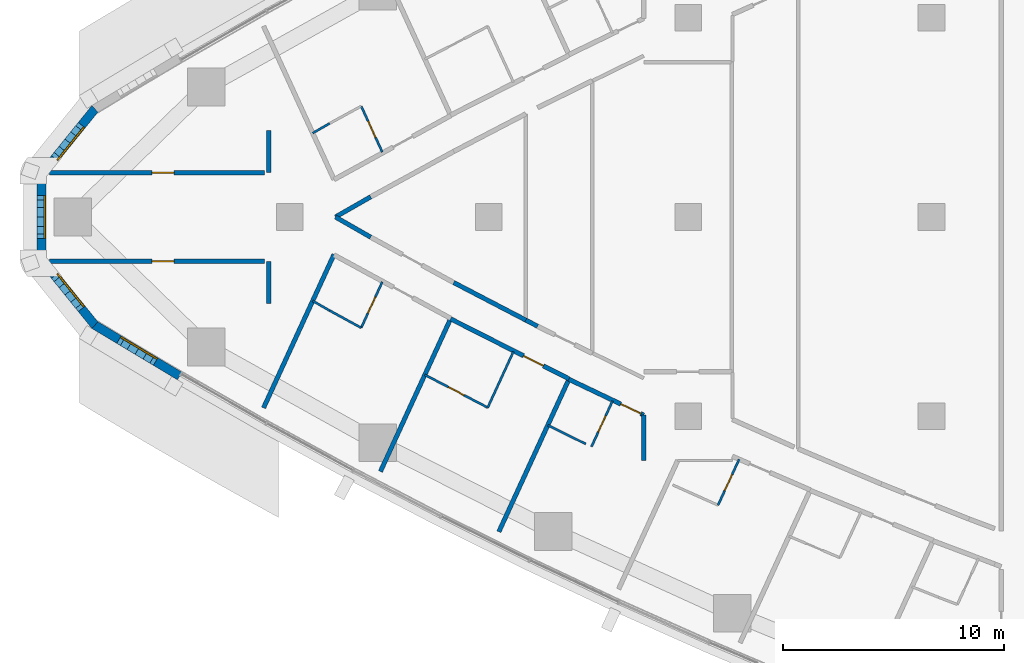
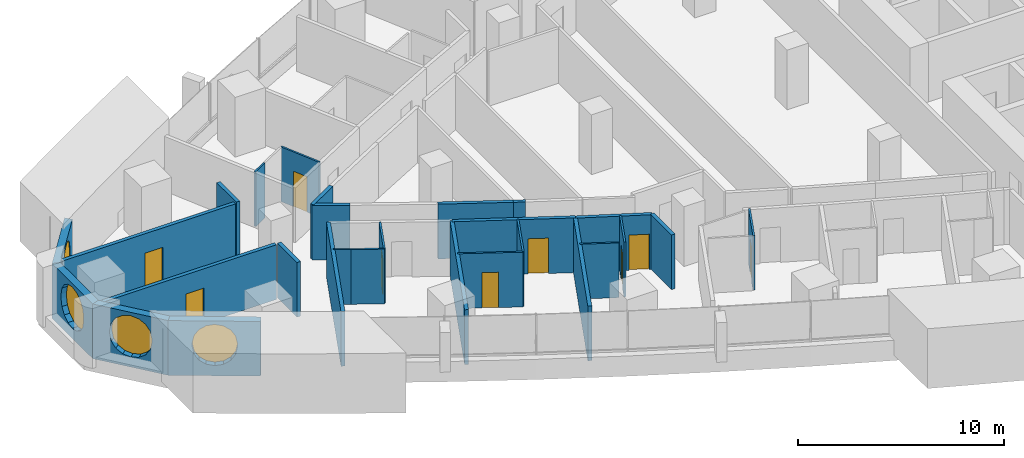
# One storey, part 8 of 17: 28 walls, 9 doors, 4 windows, 13 openings.
"""IFC4 building model written with IfcOpenShell, lengths in metres."""

from ifc_helpers import new_model, si_unit, direction, frame, frame_2d, origin, place, context, subcontext, project, spatial, polyline, rectangle, outline, extrude, material, layer, layer_set, type_object, element, fill, save


model = new_model("IFC4")

# Units and contexts
model_context = context("Model", 3, precision=1e-05, world=origin(), true_north=direction((0.0, 1.0)))
body_context = subcontext(model_context, "Body", "Model", "MODEL_VIEW")
ifc_project = project(units=[si_unit("LENGTHUNIT", "METRE"), si_unit("AREAUNIT", "SQUARE_METRE"), si_unit("VOLUMEUNIT", "CUBIC_METRE"), si_unit("PLANEANGLEUNIT", "RADIAN"), si_unit("MASSUNIT", "GRAM", prefix="KILO")], contexts=[model_context])

# Site, building, storey
site_placement = place(None, origin())
site = spatial("IfcSite", under=ifc_project, at=site_placement, CompositionType="ELEMENT")
building_placement = place(site_placement, origin())
building = spatial("IfcBuilding", under=site, at=building_placement, Name="Ostrand Prow Hotel Tower", CompositionType="ELEMENT")
storey_placement = place(building_placement, frame((0.0, 0.0, 102.64990234375)))
storey = spatial("IfcBuildingStorey", under=building, at=storey_placement, Name="L24", CompositionType="ELEMENT", Elevation=102.64990234375)

# Wall
ifc_material_1 = material(Name="Plasterboard partition")
ifc_layer_1 = layer(ifc_material_1, 0.10009765625)
ifc_layer_set_1 = layer_set([ifc_layer_1], Name="Plasterboard partition")
wall_type_1 = type_object("IfcWallType", Name="Partition 100 bathroom wall", PredefinedType="PARTITIONING", material=ifc_layer_set_1)
wall_1_placement = place(storey_placement, frame((17.0361328125, 3.7900390625, 0.0), z_axis=(0.0, 0.0, 1.0), x_axis=(0.867629162742, 0.497211862248, 0.0)))
element("IfcWall", 1, at=wall_1_placement, inside=storey, type_object=wall_type_1, Name="BATHROOM WALL", PredefinedType="PARTITIONING", context=body_context, shape_type="SweptSolid", body=[
    extrude(rectangle(XDim=0.8818359375, YDim=0.10009765625, at=frame_2d((0.44091796875, 0.0))), origin(), (0.0, 0.0, 1.0), 3.25),
])

# Wall, opening, door
wall_2_placement = place(storey_placement, frame((19.2275390625, 5.00830078125, 0.0), z_axis=(0.0, 0.0, 1.0), x_axis=(0.417450047292, -0.908699872354, 0.0)))
wall_2 = element("IfcWall", 2, at=wall_2_placement, inside=storey, type_object=wall_type_1, Name="BATHROOM WALL", PredefinedType="PARTITIONING", context=body_context, shape_type="SweptSolid", body=[
    extrude(rectangle(XDim=2.28271484375, YDim=0.10009765625, at=frame_2d((1.141357421875, 0.0))), origin(), (0.0, 0.0, 1.0), 3.25),
])
opening_1_placement = place(wall_2_placement, frame((0.75, 0.0, 0.0)))
opening_1 = element("IfcOpeningElement", 3, at=opening_1_placement, cuts=wall_2, Name="Opening D2", PredefinedType="OPENING", context=body_context, shape_type="SweptSolid", body=[
    extrude(rectangle(XDim=0.800048828125, YDim=2.10009765625, at=frame_2d((0.39990234375, 1.050048828125))), frame((0.0, 0.06005859375, 0.0), z_axis=(0.0, -1.0, 0.0), x_axis=(1.0, 0.0, 0.0)), (0.0, 0.0, 1.0), 0.1201171875),
])
ifc_material_2 = material(Name="Timber door leaf", Category="wood")
door_type_1 = type_object("IfcDoorType", Name="Bathroom door 800", OperationType="SINGLE_SWING_LEFT", PredefinedType="DOOR", material=ifc_material_2)
door_1_placement = place(opening_1_placement, origin())
door_1 = element("IfcDoor", 4, at=door_1_placement, inside=storey, type_object=door_type_1, Name="DOOR", OperationType="SINGLE_SWING_LEFT", OverallHeight=2.10009765625, OverallWidth=0.800048828125, PredefinedType="DOOR", context=body_context, shape_type="SweptSolid", body=[
    extrude(rectangle(XDim=0.800048828125, YDim=2.10009765625, at=frame_2d((0.39990234375, 1.050048828125))), frame((0.0, 0.02490234375, 0.0), z_axis=(0.0, -1.0, 0.0), x_axis=(1.0, 0.0, 0.0)), (0.0, 0.0, 1.0), 0.050048828125),
])
fill(opening_1, door_1)

wall_3_placement = place(storey_placement, frame((20.180419921875, -2.93408203125, 0.0), z_axis=(0.0, 0.0, 1.0), x_axis=(-0.417450047292, -0.908699872354, 0.0)))
wall_3 = element("IfcWall", 5, at=wall_3_placement, inside=storey, type_object=wall_type_1, Name="BATHROOM WALL", PredefinedType="PARTITIONING", context=body_context, shape_type="SweptSolid", body=[
    extrude(rectangle(XDim=2.28271484375, YDim=0.10009765625, at=frame_2d((1.141357421875, 0.0))), origin(), (0.0, 0.0, 1.0), 3.25),
])
opening_2_placement = place(wall_3_placement, frame((0.75, 0.0, 0.0)))
opening_2 = element("IfcOpeningElement", 6, at=opening_2_placement, cuts=wall_3, Name="Opening D2", PredefinedType="OPENING", context=body_context, shape_type="SweptSolid", body=[
    extrude(rectangle(XDim=0.800048828125, YDim=2.10009765625, at=frame_2d((0.39990234375, 1.050048828125))), frame((0.0, 0.06005859375, 0.0), z_axis=(0.0, -1.0, 0.0), x_axis=(1.0, 0.0, 0.0)), (0.0, 0.0, 1.0), 0.1201171875),
])
door_2_placement = place(opening_2_placement, origin())
door_2 = element("IfcDoor", 7, at=door_2_placement, inside=storey, type_object=door_type_1, Name="DOOR", OperationType="SINGLE_SWING_LEFT", OverallHeight=2.10009765625, OverallWidth=0.800048828125, PredefinedType="DOOR", context=body_context, shape_type="SweptSolid", body=[
    extrude(rectangle(XDim=0.800048828125, YDim=2.10009765625, at=frame_2d((0.39990234375, 1.050048828125))), frame((0.0, 0.02490234375, 0.0), z_axis=(0.0, -1.0, 0.0), x_axis=(1.0, 0.0, 0.0)), (0.0, 0.0, 1.0), 0.050048828125),
])
fill(opening_2, door_2)

# Walls
wall_4_placement = place(storey_placement, frame((19.2275390625, -5.00830078125, 0.0), z_axis=(0.0, 0.0, 1.0), x_axis=(-0.877424481957, 0.479714788663, 0.0)))
element("IfcWall", 8, at=wall_4_placement, inside=storey, type_object=wall_type_1, Name="BATHROOM WALL", PredefinedType="PARTITIONING", context=body_context, shape_type="SweptSolid", body=[
    extrude(rectangle(XDim=1.62548828125, YDim=0.10009765625, at=frame_2d((0.812744140625, 0.0))), origin(), (0.0, 0.0, 1.0), 3.25),
])
wall_5_placement = place(storey_placement, frame((17.80126953125, -4.228515625, 0.0), z_axis=(0.0, 0.0, 1.0), x_axis=(-0.867629162742, 0.497211862248, 0.0)))
element("IfcWall", 9, at=wall_5_placement, inside=storey, type_object=wall_type_1, Name="BATHROOM WALL", PredefinedType="PARTITIONING", context=body_context, shape_type="SweptSolid", body=[
    extrude(rectangle(XDim=0.8818359375, YDim=0.10009765625, at=frame_2d((0.44091796875, 0.0))), origin(), (0.0, 0.0, 1.0), 3.25),
])
wall_6_placement = place(storey_placement, frame((26.10595703125, -6.085205078125, 0.0), z_axis=(0.0, 0.0, 1.0), x_axis=(-0.417431588167, -0.908708352113, 0.0)))
element("IfcWall", 10, at=wall_6_placement, inside=storey, type_object=wall_type_1, Name="BATHROOM WALL", PredefinedType="PARTITIONING", context=body_context, shape_type="SweptSolid", body=[
    extrude(rectangle(XDim=2.780517578125, YDim=0.10009765625, at=frame_2d((1.39013671875, 0.0))), origin(), (0.0, 0.0, 1.0), 3.25),
])

# Wall, opening, door
wall_7_placement = place(storey_placement, frame((24.9453125, -8.61181640625, 0.0), z_axis=(0.0, 0.0, 1.0), x_axis=(-0.886865947566, 0.46202682936, 0.0)))
wall_7 = element("IfcWall", 11, at=wall_7_placement, inside=storey, type_object=wall_type_1, Name="BATHROOM WALL", PredefinedType="PARTITIONING", context=body_context, shape_type="SweptSolid", body=[
    extrude(rectangle(XDim=3.203857421875, YDim=0.10009765625, at=frame_2d((1.60205078125, 0.0))), origin(), (0.0, 0.0, 1.0), 3.25),
])
opening_3_placement = place(wall_7_placement, frame((1.199951171875, 0.0, 0.0)))
opening_3 = element("IfcOpeningElement", 12, at=opening_3_placement, cuts=wall_7, Name="Opening D2", PredefinedType="OPENING", context=body_context, shape_type="SweptSolid", body=[
    extrude(rectangle(XDim=0.800048828125, YDim=2.10009765625, at=frame_2d((0.39990234375, 1.050048828125))), frame((0.0, 0.06005859375, 0.0), z_axis=(0.0, -1.0, 0.0), x_axis=(1.0, 0.0, 0.0)), (0.0, 0.0, 1.0), 0.1201171875),
])
door_3_placement = place(opening_3_placement, origin())
door_3 = element("IfcDoor", 13, at=door_3_placement, inside=storey, type_object=door_type_1, Name="DOOR", OperationType="SINGLE_SWING_LEFT", OverallHeight=2.10009765625, OverallWidth=0.800048828125, PredefinedType="DOOR", context=body_context, shape_type="SweptSolid", body=[
    extrude(rectangle(XDim=0.800048828125, YDim=2.10009765625, at=frame_2d((0.39990234375, 1.050048828125))), frame((0.0, 0.02490234375, 0.0), z_axis=(0.0, -1.0, 0.0), x_axis=(1.0, 0.0, 0.0)), (0.0, 0.0, 1.0), 0.050048828125),
])
fill(opening_3, door_3)

wall_8_placement = place(storey_placement, frame((30.586181640625, -8.310302734375, 0.0), z_axis=(0.0, 0.0, 1.0), x_axis=(-0.417466676952, -0.908692232626, 0.0)))
wall_8 = element("IfcWall", 14, at=wall_8_placement, inside=storey, type_object=wall_type_1, Name="BATHROOM WALL", PredefinedType="PARTITIONING", context=body_context, shape_type="SweptSolid", body=[
    extrude(rectangle(XDim=2.27734375, YDim=0.10009765625, at=frame_2d((1.138671875, 0.0))), origin(), (0.0, 0.0, 1.0), 3.25),
])
opening_4_placement = place(wall_8_placement, frame((0.75, 0.0, 0.0)))
opening_4 = element("IfcOpeningElement", 15, at=opening_4_placement, cuts=wall_8, Name="Opening D2", PredefinedType="OPENING", context=body_context, shape_type="SweptSolid", body=[
    extrude(rectangle(XDim=0.800048828125, YDim=2.10009765625, at=frame_2d((0.39990234375, 1.050048828125))), frame((0.0, 0.06005859375, 0.0), z_axis=(0.0, -1.0, 0.0), x_axis=(1.0, 0.0, 0.0)), (0.0, 0.0, 1.0), 0.1201171875),
])
door_4_placement = place(opening_4_placement, origin())
door_4 = element("IfcDoor", 16, at=door_4_placement, inside=storey, type_object=door_type_1, Name="DOOR", OperationType="SINGLE_SWING_LEFT", OverallHeight=2.10009765625, OverallWidth=0.800048828125, PredefinedType="DOOR", context=body_context, shape_type="SweptSolid", body=[
    extrude(rectangle(XDim=0.800048828125, YDim=2.10009765625, at=frame_2d((0.39990234375, 1.050048828125))), frame((0.0, 0.02490234375, 0.0), z_axis=(0.0, -1.0, 0.0), x_axis=(1.0, 0.0, 0.0)), (0.0, 0.0, 1.0), 0.050048828125),
])
fill(opening_4, door_4)

# Wall
wall_9_placement = place(storey_placement, frame((29.371337890625, -10.255126953125, 0.0), z_axis=(0.0, 0.0, 1.0), x_axis=(-0.895982200486, 0.444089964324, 0.0)))
element("IfcWall", 17, at=wall_9_placement, inside=storey, type_object=wall_type_1, Name="BATHROOM WALL", PredefinedType="PARTITIONING", context=body_context, shape_type="SweptSolid", body=[
    extrude(rectangle(XDim=1.90869140625, YDim=0.10009765625, at=frame_2d((0.954345703125, 0.0))), origin(), (0.0, 0.0, 1.0), 3.25),
])

# Wall, opening, door
wall_10_placement = place(storey_placement, frame((36.3046875, -10.9541015625, 0.0), z_axis=(0.0, 0.0, 1.0), x_axis=(-0.41750734959, -0.908673545911, 0.0)))
wall_10 = element("IfcWall", 18, at=wall_10_placement, inside=storey, type_object=wall_type_1, Name="BATHROOM WALL", PredefinedType="PARTITIONING", context=body_context, shape_type="SweptSolid", body=[
    extrude(rectangle(XDim=2.277099609375, YDim=0.10009765625, at=frame_2d((1.138671875, 0.0))), origin(), (0.0, 0.0, 1.0), 3.25),
])
opening_5_placement = place(wall_10_placement, frame((0.75, 0.0, 0.0)))
opening_5 = element("IfcOpeningElement", 19, at=opening_5_placement, cuts=wall_10, Name="Opening D2", PredefinedType="OPENING", context=body_context, shape_type="SweptSolid", body=[
    extrude(rectangle(XDim=0.800048828125, YDim=2.10009765625, at=frame_2d((0.39990234375, 1.050048828125))), frame((0.0, 0.06005859375, 0.0), z_axis=(0.0, -1.0, 0.0), x_axis=(1.0, 0.0, 0.0)), (0.0, 0.0, 1.0), 0.1201171875),
])
door_5_placement = place(opening_5_placement, origin())
door_5 = element("IfcDoor", 20, at=door_5_placement, inside=storey, type_object=door_type_1, Name="DOOR", OperationType="SINGLE_SWING_LEFT", OverallHeight=2.10009765625, OverallWidth=0.800048828125, PredefinedType="DOOR", context=body_context, shape_type="SweptSolid", body=[
    extrude(rectangle(XDim=0.800048828125, YDim=2.10009765625, at=frame_2d((0.39990234375, 1.050048828125))), frame((0.0, 0.02490234375, 0.0), z_axis=(0.0, -1.0, 0.0), x_axis=(1.0, 0.0, 0.0)), (0.0, 0.0, 1.0), 0.050048828125),
])
fill(opening_5, door_5)

ifc_material_3 = material(Name="Plasterboard partition")
ifc_layer_2 = layer(ifc_material_3, 0.199951171875)
ifc_layer_set_2 = layer_set([ifc_layer_2], Name="Plasterboard partition")
wall_type_2 = type_object("IfcWallType", Name="Partition 200 corridor wall", PredefinedType="PARTITIONING", material=ifc_layer_set_2)
wall_11_placement = place(storey_placement, frame((5.144775390625, 2.0, 0.0), z_axis=(0.0, 0.0, 1.0), x_axis=(1.0, 0.0, 0.0)))
wall_11 = element("IfcWall", 21, at=wall_11_placement, inside=storey, type_object=wall_type_2, Name="CORRIDOR WALL", PredefinedType="PARTITIONING", context=body_context, shape_type="SweptSolid", body=[
    extrude(rectangle(XDim=9.708984375, YDim=0.199951171875, at=frame_2d((4.8544921875, 0.0))), origin(), (0.0, 0.0, 1.0), 3.25),
])
opening_6_placement = place(wall_11_placement, frame((4.624755859375, 0.0, 0.0)))
opening_6 = element("IfcOpeningElement", 22, at=opening_6_placement, cuts=wall_11, Name="Opening D1", PredefinedType="OPENING", context=body_context, shape_type="SweptSolid", body=[
    extrude(rectangle(XDim=1.0, YDim=2.10009765625, at=frame_2d((0.5, 1.050048828125))), frame((0.0, 0.10986328125, 0.0), z_axis=(0.0, -1.0, 0.0), x_axis=(1.0, 0.0, 0.0)), (0.0, 0.0, 1.0), 0.219970703125),
])
ifc_material_4 = material(Name="Timber door leaf", Category="wood")
door_type_2 = type_object("IfcDoorType", Name="Guest room door 1000", OperationType="SINGLE_SWING_LEFT", PredefinedType="DOOR", material=ifc_material_4)
door_6_placement = place(opening_6_placement, origin())
door_6 = element("IfcDoor", 23, at=door_6_placement, inside=storey, type_object=door_type_2, Name="DOOR", OperationType="SINGLE_SWING_LEFT", OverallHeight=2.10009765625, OverallWidth=1.0, PredefinedType="DOOR", context=body_context, shape_type="SweptSolid", body=[
    extrude(rectangle(XDim=1.0, YDim=2.10009765625, at=frame_2d((0.5, 1.050048828125))), frame((0.0, 0.02490234375, 0.0), z_axis=(0.0, -1.0, 0.0), x_axis=(1.0, 0.0, 0.0)), (0.0, 0.0, 1.0), 0.050048828125),
])
fill(opening_6, door_6)

wall_12_placement = place(storey_placement, frame((5.144775390625, -2.0, 0.0), z_axis=(0.0, 0.0, 1.0), x_axis=(1.0, 0.0, 0.0)))
wall_12 = element("IfcWall", 24, at=wall_12_placement, inside=storey, type_object=wall_type_2, Name="CORRIDOR WALL", PredefinedType="PARTITIONING", context=body_context, shape_type="SweptSolid", body=[
    extrude(rectangle(XDim=9.708984375, YDim=0.199951171875, at=frame_2d((4.8544921875, 0.0))), origin(), (0.0, 0.0, 1.0), 3.25),
])
opening_7_placement = place(wall_12_placement, frame((4.624755859375, 0.0, 0.0)))
opening_7 = element("IfcOpeningElement", 25, at=opening_7_placement, cuts=wall_12, Name="Opening D1R", PredefinedType="OPENING", context=body_context, shape_type="SweptSolid", body=[
    extrude(rectangle(XDim=1.0, YDim=2.10009765625, at=frame_2d((0.5, 1.050048828125))), frame((0.0, 0.10986328125, 0.0), z_axis=(0.0, -1.0, 0.0), x_axis=(1.0, 0.0, 0.0)), (0.0, 0.0, 1.0), 0.219970703125),
])
ifc_material_5 = material(Name="Timber door leaf", Category="wood")
door_type_3 = type_object("IfcDoorType", Name="Guest room door 1000 right", OperationType="SINGLE_SWING_RIGHT", PredefinedType="DOOR", material=ifc_material_5)
door_7_placement = place(opening_7_placement, origin())
door_7 = element("IfcDoor", 26, at=door_7_placement, inside=storey, type_object=door_type_3, Name="DOOR", OperationType="SINGLE_SWING_RIGHT", OverallHeight=2.10009765625, OverallWidth=1.0, PredefinedType="DOOR", context=body_context, shape_type="SweptSolid", body=[
    extrude(rectangle(XDim=1.0, YDim=2.10009765625, at=frame_2d((0.5, 1.050048828125))), frame((0.0, 0.02490234375, 0.0), z_axis=(0.0, -1.0, 0.0), x_axis=(1.0, 0.0, 0.0)), (0.0, 0.0, 1.0), 0.050048828125),
])
fill(opening_7, door_7)

wall_13_placement = place(storey_placement, frame((23.265625, -4.602294921875, 0.0), z_axis=(0.0, 0.0, 1.0), x_axis=(0.892007141151, -0.452021304958, 0.0)))
wall_13 = element("IfcWall", 27, at=wall_13_placement, inside=storey, type_object=wall_type_2, Name="CORRIDOR WALL", PredefinedType="PARTITIONING", context=body_context, shape_type="SweptSolid", body=[
    extrude(rectangle(XDim=6.00439453125, YDim=0.199951171875, at=frame_2d((3.002197265625, 0.0))), origin(), (0.0, 0.0, 1.0), 3.25),
])
opening_8_placement = place(wall_13_placement, frame((3.699951171875, 0.0, 0.0)))
opening_8 = element("IfcOpeningElement", 28, at=opening_8_placement, cuts=wall_13, Name="Opening D1", PredefinedType="OPENING", context=body_context, shape_type="SweptSolid", body=[
    extrude(rectangle(XDim=1.0, YDim=2.10009765625, at=frame_2d((0.5, 1.050048828125))), frame((0.0, 0.10986328125, 0.0), z_axis=(0.0, -1.0, 0.0), x_axis=(1.0, 0.0, 0.0)), (0.0, 0.0, 1.0), 0.219970703125),
])
door_8_placement = place(opening_8_placement, origin())
door_8 = element("IfcDoor", 29, at=door_8_placement, inside=storey, type_object=door_type_2, Name="DOOR", OperationType="SINGLE_SWING_LEFT", OverallHeight=2.10009765625, OverallWidth=1.0, PredefinedType="DOOR", context=body_context, shape_type="SweptSolid", body=[
    extrude(rectangle(XDim=1.0, YDim=2.10009765625, at=frame_2d((0.5, 1.050048828125))), frame((0.0, 0.02490234375, 0.0), z_axis=(0.0, -1.0, 0.0), x_axis=(1.0, 0.0, 0.0)), (0.0, 0.0, 1.0), 0.050048828125),
])
fill(opening_8, door_8)

wall_14_placement = place(storey_placement, frame((28.61328125, -7.334716796875, 0.0), z_axis=(0.0, 0.0, 1.0), x_axis=(0.902499429765, -0.430691048518, 0.0)))
wall_14 = element("IfcWall", 30, at=wall_14_placement, inside=storey, type_object=wall_type_2, Name="CORRIDOR WALL", PredefinedType="PARTITIONING", context=body_context, shape_type="SweptSolid", body=[
    extrude(rectangle(XDim=3.752685546875, YDim=0.199951171875, at=frame_2d((1.87646484375, 0.0))), origin(), (0.0, 0.0, 1.0), 3.25),
])
opening_9_placement = place(wall_14_placement, frame((2.60009765625, 0.0, 0.0)))
opening_9 = element("IfcOpeningElement", 31, at=opening_9_placement, cuts=wall_14, Name="Opening D1", PredefinedType="OPENING", context=body_context, shape_type="SweptSolid", body=[
    extrude(rectangle(XDim=1.0, YDim=2.10009765625, at=frame_2d((0.5, 1.050048828125))), frame((0.0, 0.10986328125, 0.0), z_axis=(0.0, -1.0, 0.0), x_axis=(1.0, 0.0, 0.0)), (0.0, 0.0, 1.0), 0.219970703125),
])
door_9_placement = place(opening_9_placement, origin())
door_9 = element("IfcDoor", 32, at=door_9_placement, inside=storey, type_object=door_type_2, Name="DOOR", OperationType="SINGLE_SWING_LEFT", OverallHeight=2.10009765625, OverallWidth=1.0, PredefinedType="DOOR", context=body_context, shape_type="SweptSolid", body=[
    extrude(rectangle(XDim=1.0, YDim=2.10009765625, at=frame_2d((0.5, 1.050048828125))), frame((0.0, 0.02490234375, 0.0), z_axis=(0.0, -1.0, 0.0), x_axis=(1.0, 0.0, 0.0)), (0.0, 0.0, 1.0), 0.050048828125),
])
fill(opening_9, door_9)

# Walls
for number, where, z_axis, x_axis, name in (
    (33, (19.6572265625, -0.912353515625, 0.0), (0.0, 0.0, 1.0), (-0.867694156962, 0.49709843087, 0.0), "CORRIDOR WALL"),
    (34, (18.064697265625, 0.0, 0.0), (0.0, 0.0, 1.0), (0.867694156962, 0.49709843087, 0.0), "CORRIDOR WALL"),
):
    element("IfcWall", number, at=place(storey_placement, frame(where, z_axis=z_axis, x_axis=x_axis)), inside=storey, type_object=wall_type_2, Name=name, PredefinedType="PARTITIONING", context=body_context, shape_type="SweptSolid", body=[
        extrude(rectangle(XDim=1.83544921875, YDim=0.199951171875, at=frame_2d((0.917724609375, 0.0))), origin(), (0.0, 0.0, 1.0), 3.25),
    ])
wall_15_placement = place(storey_placement, frame((26.66650390625, -4.659912109375, 0.0), z_axis=(0.0, 0.0, 1.0), x_axis=(-0.886891405098, 0.46197796004, 0.0)))
element("IfcWall", 35, at=wall_15_placement, inside=storey, type_object=wall_type_2, Name="CORRIDOR WALL", PredefinedType="PARTITIONING", context=body_context, shape_type="SweptSolid", body=[
    extrude(rectangle(XDim=3.675537109375, YDim=0.199951171875, at=frame_2d((1.837890625, 0.0))), origin(), (0.0, 0.0, 1.0), 3.25),
])
wall_16_placement = place(storey_placement, frame((15.0537109375, 3.90869140625, 0.0), z_axis=(0.0, 0.0, 1.0), x_axis=(0.0, -1.0, 0.0)))
element("IfcWall", 36, at=wall_16_placement, inside=storey, type_object=wall_type_2, Name="CORRIDOR WALL", PredefinedType="PARTITIONING", context=body_context, shape_type="SweptSolid", body=[
    extrude(rectangle(XDim=1.90380859375, YDim=0.199951171875, at=frame_2d((0.951904296875, 0.0))), origin(), (0.0, 0.0, 1.0), 3.25),
])
wall_17_placement = place(storey_placement, frame((15.0537109375, -2.0048828125, 0.0), z_axis=(0.0, 0.0, 1.0), x_axis=(0.0, -1.0, 0.0)))
element("IfcWall", 37, at=wall_17_placement, inside=storey, type_object=wall_type_2, Name="CORRIDOR WALL", PredefinedType="PARTITIONING", context=body_context, shape_type="SweptSolid", body=[
    extrude(rectangle(XDim=1.908447265625, YDim=0.199951171875, at=frame_2d((0.9541015625, 0.0))), origin(), (0.0, 0.0, 1.0), 3.25),
])
wall_18_placement = place(storey_placement, frame((32.0, -8.950927734375, 0.0), z_axis=(0.0, 0.0, 1.0), x_axis=(-0.001665276625, -0.999998613426, 0.0)))
element("IfcWall", 38, at=wall_18_placement, inside=storey, type_object=wall_type_2, Name="CORRIDOR WALL", PredefinedType="PARTITIONING", context=body_context, shape_type="SweptSolid", body=[
    extrude(rectangle(XDim=2.052490234375, YDim=0.199951171875, at=frame_2d((1.0263671875, 0.0))), origin(), (0.0, 0.0, 1.0), 3.25),
])
wall_19_placement = place(storey_placement, frame((27.1962890625, -4.935791015625, 0.0), z_axis=(0.0, 0.0, 1.0), x_axis=(-0.886948968309, 0.46186743511, 0.0)))
element("IfcWall", 39, at=wall_19_placement, inside=storey, type_object=wall_type_2, Name="CORRIDOR WALL", PredefinedType="PARTITIONING", context=body_context, shape_type="SweptSolid", body=[
    extrude(rectangle(XDim=0.597412109375, YDim=0.199951171875, at=frame_2d((0.298828125, 0.0))), origin(), (0.0, 0.0, 1.0), 3.25),
])
ifc_material_6 = material(Name="Plasterboard partition")
ifc_layer_3 = layer(ifc_material_6, 0.199951171875)
ifc_layer_set_3 = layer_set([ifc_layer_3], Name="Plasterboard partition")
wall_type_3 = type_object("IfcWallType", Name="Partition 200 key partition", PredefinedType="PARTITIONING", material=ifc_layer_set_3)
wall_20_placement = place(storey_placement, frame((14.814697265625, -8.625732421875, 0.0), z_axis=(0.0, 0.0, 1.0), x_axis=(0.417432341259, 0.908708006166, 0.0)))
element("IfcWall", 40, at=wall_20_placement, inside=storey, type_object=wall_type_3, Name="KEY PARTITION", PredefinedType="PARTITIONING", context=body_context, shape_type="SweptSolid", body=[
    extrude(rectangle(XDim=7.630615234375, YDim=0.199951171875, at=frame_2d((3.8154296875, 0.0))), origin(), (0.0, 0.0, 1.0), 3.25),
])
wall_21_placement = place(storey_placement, frame((20.09765625, -11.498779296875, 0.0), z_axis=(0.0, 0.0, 1.0), x_axis=(0.417440028355, 0.908704474913, 0.0)))
element("IfcWall", 41, at=wall_21_placement, inside=storey, type_object=wall_type_3, Name="KEY PARTITION", PredefinedType="PARTITIONING", context=body_context, shape_type="SweptSolid", body=[
    extrude(rectangle(XDim=7.609619140625, YDim=0.199951171875, at=frame_2d((3.8046875, 0.0))), origin(), (0.0, 0.0, 1.0), 3.25),
])
wall_22_placement = place(storey_placement, frame((25.44775390625, -14.2255859375, 0.0), z_axis=(0.0, 0.0, 1.0), x_axis=(0.417428513692, 0.908709764422, 0.0)))
element("IfcWall", 42, at=wall_22_placement, inside=storey, type_object=wall_type_3, Name="KEY PARTITION", PredefinedType="PARTITIONING", context=body_context, shape_type="SweptSolid", body=[
    extrude(rectangle(XDim=7.603271484375, YDim=0.199951171875, at=frame_2d((3.8017578125, 0.0))), origin(), (0.0, 0.0, 1.0), 3.25),
])

# Wall, opening, window
ifc_material_7 = material(Name="Precast concrete C40/50", Category="concrete")
ifc_layer_4 = layer(ifc_material_7, 0.39990234375)
ifc_layer_set_4 = layer_set([ifc_layer_4], Name="Precast concrete C40/50")
wall_type_4 = type_object("IfcWallType", Name="Stone-faced precast wall 400 mm", PredefinedType="NOTDEFINED", material=ifc_layer_set_4)
wall_23_placement = place(storey_placement, frame((7.1943359375, 4.8876953125, 0.0), z_axis=(0.0, 0.0, 1.0), x_axis=(-0.62903486133, -0.777377092042, 0.0)))
wall_23 = element("IfcWall", 43, at=wall_23_placement, inside=storey, type_object=wall_type_4, Name="Stone-faced wall prow 2", PredefinedType="NOTDEFINED", context=body_context, shape_type="SweptSolid", body=[
    extrude(outline(polyline([(-0.035400390625, -0.199951171875), (3.897216796875, -0.199951171875), (3.755615234375, 0.199951171875), (0.035400390625, 0.199951171875), (-0.035400390625, -0.199951171875)])), origin(), (0.0, 0.0, 1.0), 3.25),
])
opening_10_placement = place(wall_23_placement, frame((0.813232421875, 0.0, 0.60009765625)))
opening_10 = element("IfcOpeningElement", 44, at=opening_10_placement, cuts=wall_23, Name="Opening WP1", PredefinedType="OPENING", context=body_context, shape_type="SweptSolid", body=[
    extrude(outline(polyline([(0.0, 1.35009765625), (0.083740234375, 1.77099609375), (0.322265625, 2.127685546875), (0.678955078125, 2.3662109375), (1.10009765625, 2.449951171875), (1.52099609375, 2.3662109375), (1.877685546875, 2.127685546875), (2.1162109375, 1.77099609375), (2.199951171875, 1.35009765625), (2.199951171875, 1.10009765625), (2.1162109375, 0.678955078125), (1.877685546875, 0.322265625), (1.52099609375, 0.083740234375), (1.10009765625, 0.0), (0.678955078125, 0.083740234375), (0.322265625, 0.322265625), (0.083740234375, 0.678955078125), (0.0, 1.099853515625), (0.0, 1.35009765625)])), frame((0.0, 0.2099609375, 0.0), z_axis=(0.0, -1.0, 0.0), x_axis=(1.0, 0.0, 0.0)), (0.0, 0.0, 1.0), 0.419921875),
])
ifc_material_8 = material(Name="Insulated glass in bronze frame", Category="glass")
window_type = type_object("IfcWindowType", Name="Round-ended prow window 2200x2450", PartitioningType="SINGLE_PANEL", PredefinedType="WINDOW", material=ifc_material_8)
window_1_placement = place(opening_10_placement, origin())
window_1 = element("IfcWindow", 45, at=window_1_placement, inside=storey, type_object=window_type, Name="Window prow 2.1", OverallHeight=2.449951171875, OverallWidth=2.199951171875, PartitioningType="SINGLE_PANEL", PredefinedType="WINDOW", context=body_context, shape_type="SweptSolid", body=[
    extrude(outline(polyline([(0.0, 1.35009765625), (0.083740234375, 1.77099609375), (0.322265625, 2.127685546875), (0.678955078125, 2.3662109375), (1.10009765625, 2.449951171875), (1.52099609375, 2.3662109375), (1.877685546875, 2.127685546875), (2.1162109375, 1.77099609375), (2.199951171875, 1.35009765625), (2.199951171875, 1.10009765625), (2.1162109375, 0.678955078125), (1.877685546875, 0.322265625), (1.52099609375, 0.083740234375), (1.10009765625, 0.0), (0.678955078125, 0.083740234375), (0.322265625, 0.322265625), (0.083740234375, 0.678955078125), (0.0, 1.099853515625), (0.0, 1.35009765625)])), frame((0.0, 0.169921875, 0.0), z_axis=(0.0, -1.0, 0.0), x_axis=(1.0, 0.0, 0.0)), (0.0, 0.0, 1.0), 0.06005859375),
])
fill(opening_10, window_1)

wall_24_placement = place(storey_placement, frame((4.787353515625, 1.9130859375, 0.0), z_axis=(0.0, 0.0, 1.0), x_axis=(0.0, -1.0, 0.0)))
wall_24 = element("IfcWall", 46, at=wall_24_placement, inside=storey, type_object=wall_type_4, Name="Stone-faced wall prow 3", PredefinedType="NOTDEFINED", context=body_context, shape_type="SweptSolid", body=[
    extrude(outline(polyline([(-0.07080078125, -0.199951171875), (3.89697265625, -0.199951171875), (3.75537109375, 0.199951171875), (0.07080078125, 0.199951171875), (-0.07080078125, -0.199951171875)])), origin(), (0.0, 0.0, 1.0), 3.25),
])
opening_11_placement = place(wall_24_placement, frame((0.813232421875, 0.0, 0.60009765625)))
opening_11 = element("IfcOpeningElement", 47, at=opening_11_placement, cuts=wall_24, Name="Opening WP1", PredefinedType="OPENING", context=body_context, shape_type="SweptSolid", body=[
    extrude(outline(polyline([(0.0, 1.35009765625), (0.083740234375, 1.77099609375), (0.322265625, 2.127685546875), (0.678955078125, 2.3662109375), (1.10009765625, 2.449951171875), (1.52099609375, 2.3662109375), (1.877685546875, 2.127685546875), (2.1162109375, 1.77099609375), (2.199951171875, 1.35009765625), (2.199951171875, 1.10009765625), (2.1162109375, 0.678955078125), (1.877685546875, 0.322265625), (1.52099609375, 0.083740234375), (1.10009765625, 0.0), (0.678955078125, 0.083740234375), (0.322265625, 0.322265625), (0.083740234375, 0.678955078125), (0.0, 1.099853515625), (0.0, 1.35009765625)])), frame((0.0, 0.2099609375, 0.0), z_axis=(0.0, -1.0, 0.0), x_axis=(1.0, 0.0, 0.0)), (0.0, 0.0, 1.0), 0.419921875),
])
window_2_placement = place(opening_11_placement, origin())
window_2 = element("IfcWindow", 48, at=window_2_placement, inside=storey, type_object=window_type, Name="Window prow 3.1", OverallHeight=2.449951171875, OverallWidth=2.199951171875, PartitioningType="SINGLE_PANEL", PredefinedType="WINDOW", context=body_context, shape_type="SweptSolid", body=[
    extrude(outline(polyline([(0.0, 1.35009765625), (0.083740234375, 1.77099609375), (0.322265625, 2.127685546875), (0.678955078125, 2.3662109375), (1.10009765625, 2.449951171875), (1.52099609375, 2.3662109375), (1.877685546875, 2.127685546875), (2.1162109375, 1.77099609375), (2.199951171875, 1.35009765625), (2.199951171875, 1.10009765625), (2.1162109375, 0.678955078125), (1.877685546875, 0.322265625), (1.52099609375, 0.083740234375), (1.10009765625, 0.0), (0.678955078125, 0.083740234375), (0.322265625, 0.322265625), (0.083740234375, 0.678955078125), (0.0, 1.099853515625), (0.0, 1.35009765625)])), frame((0.0, 0.169921875, 0.0), z_axis=(0.0, -1.0, 0.0), x_axis=(1.0, 0.0, 0.0)), (0.0, 0.0, 1.0), 0.06005859375),
])
fill(opening_11, window_2)

wall_25_placement = place(storey_placement, frame((4.787353515625, -1.9130859375, 0.0), z_axis=(0.0, 0.0, 1.0), x_axis=(0.62903486133, -0.777377092042, 0.0)))
wall_25 = element("IfcWall", 49, at=wall_25_placement, inside=storey, type_object=wall_type_4, Name="Stone-faced wall prow 4", PredefinedType="NOTDEFINED", context=body_context, shape_type="SweptSolid", body=[
    extrude(outline(polyline([(-0.07080078125, -0.199951171875), (3.86181640625, -0.199951171875), (3.791015625, 0.199951171875), (0.07080078125, 0.199951171875), (-0.07080078125, -0.199951171875)])), origin(), (0.0, 0.0, 1.0), 3.25),
])
opening_12_placement = place(wall_25_placement, frame((0.813232421875, 0.0, 0.60009765625)))
opening_12 = element("IfcOpeningElement", 50, at=opening_12_placement, cuts=wall_25, Name="Opening WP1", PredefinedType="OPENING", context=body_context, shape_type="SweptSolid", body=[
    extrude(outline(polyline([(0.0, 1.35009765625), (0.083740234375, 1.77099609375), (0.322265625, 2.127685546875), (0.678955078125, 2.3662109375), (1.10009765625, 2.449951171875), (1.52099609375, 2.3662109375), (1.877685546875, 2.127685546875), (2.1162109375, 1.77099609375), (2.199951171875, 1.35009765625), (2.199951171875, 1.10009765625), (2.1162109375, 0.678955078125), (1.877685546875, 0.322265625), (1.52099609375, 0.083740234375), (1.10009765625, 0.0), (0.678955078125, 0.083740234375), (0.322265625, 0.322265625), (0.083740234375, 0.678955078125), (0.0, 1.099853515625), (0.0, 1.35009765625)])), frame((0.0, 0.2099609375, 0.0), z_axis=(0.0, -1.0, 0.0), x_axis=(1.0, 0.0, 0.0)), (0.0, 0.0, 1.0), 0.419921875),
])
window_3_placement = place(opening_12_placement, origin())
window_3 = element("IfcWindow", 51, at=window_3_placement, inside=storey, type_object=window_type, Name="Window prow 4.1", OverallHeight=2.449951171875, OverallWidth=2.199951171875, PartitioningType="SINGLE_PANEL", PredefinedType="WINDOW", context=body_context, shape_type="SweptSolid", body=[
    extrude(outline(polyline([(0.0, 1.35009765625), (0.083740234375, 1.77099609375), (0.322265625, 2.127685546875), (0.678955078125, 2.3662109375), (1.10009765625, 2.449951171875), (1.52099609375, 2.3662109375), (1.877685546875, 2.127685546875), (2.1162109375, 1.77099609375), (2.199951171875, 1.35009765625), (2.199951171875, 1.10009765625), (2.1162109375, 0.678955078125), (1.877685546875, 0.322265625), (1.52099609375, 0.083740234375), (1.10009765625, 0.0), (0.678955078125, 0.083740234375), (0.322265625, 0.322265625), (0.083740234375, 0.678955078125), (0.0, 1.099853515625), (0.0, 1.35009765625)])), frame((0.0, 0.169921875, 0.0), z_axis=(0.0, -1.0, 0.0), x_axis=(1.0, 0.0, 0.0)), (0.0, 0.0, 1.0), 0.06005859375),
])
fill(opening_12, window_3)

wall_26_placement = place(storey_placement, frame((7.1943359375, -4.8876953125, 0.0), z_axis=(0.0, 0.0, 1.0), x_axis=(0.857550776474, -0.514399325202, 0.0)))
wall_26 = element("IfcWall", 52, at=wall_26_placement, inside=storey, type_object=wall_type_4, Name="Stone-faced wall prow 5", PredefinedType="NOTDEFINED", context=body_context, shape_type="SweptSolid", body=[
    extrude(outline(polyline([(-0.035400390625, -0.199951171875), (4.468017578125, -0.199951171875), (4.468017578125, 0.199951171875), (0.035400390625, 0.199951171875), (-0.035400390625, -0.199951171875)])), origin(), (0.0, 0.0, 1.0), 3.25),
])
opening_13_placement = place(wall_26_placement, frame((1.134033203125, 0.0, 0.60009765625)))
opening_13 = element("IfcOpeningElement", 53, at=opening_13_placement, cuts=wall_26, Name="Opening WP1", PredefinedType="OPENING", context=body_context, shape_type="SweptSolid", body=[
    extrude(outline(polyline([(0.0, 1.35009765625), (0.083740234375, 1.77099609375), (0.322265625, 2.127685546875), (0.678955078125, 2.3662109375), (1.10009765625, 2.449951171875), (1.52099609375, 2.3662109375), (1.877685546875, 2.127685546875), (2.1162109375, 1.77099609375), (2.199951171875, 1.35009765625), (2.199951171875, 1.10009765625), (2.1162109375, 0.678955078125), (1.877685546875, 0.322265625), (1.52099609375, 0.083740234375), (1.10009765625, 0.0), (0.678955078125, 0.083740234375), (0.322265625, 0.322265625), (0.083740234375, 0.678955078125), (0.0, 1.099853515625), (0.0, 1.35009765625)])), frame((0.0, 0.2099609375, 0.0), z_axis=(0.0, -1.0, 0.0), x_axis=(1.0, 0.0, 0.0)), (0.0, 0.0, 1.0), 0.419921875),
])
window_4_placement = place(opening_13_placement, origin())
window_4 = element("IfcWindow", 54, at=window_4_placement, inside=storey, type_object=window_type, Name="Window prow 5.1", OverallHeight=2.449951171875, OverallWidth=2.199951171875, PartitioningType="SINGLE_PANEL", PredefinedType="WINDOW", context=body_context, shape_type="SweptSolid", body=[
    extrude(outline(polyline([(0.0, 1.35009765625), (0.083740234375, 1.77099609375), (0.322265625, 2.127685546875), (0.678955078125, 2.3662109375), (1.10009765625, 2.449951171875), (1.52099609375, 2.3662109375), (1.877685546875, 2.127685546875), (2.1162109375, 1.77099609375), (2.199951171875, 1.35009765625), (2.199951171875, 1.10009765625), (2.1162109375, 0.678955078125), (1.877685546875, 0.322265625), (1.52099609375, 0.083740234375), (1.10009765625, 0.0), (0.678955078125, 0.083740234375), (0.322265625, 0.322265625), (0.083740234375, 0.678955078125), (0.0, 1.099853515625), (0.0, 1.35009765625)])), frame((0.0, 0.169921875, 0.0), z_axis=(0.0, -1.0, 0.0), x_axis=(1.0, 0.0, 0.0)), (0.0, 0.0, 1.0), 0.06005859375),
])
fill(opening_13, window_4)

save(model, "model.ifc")
